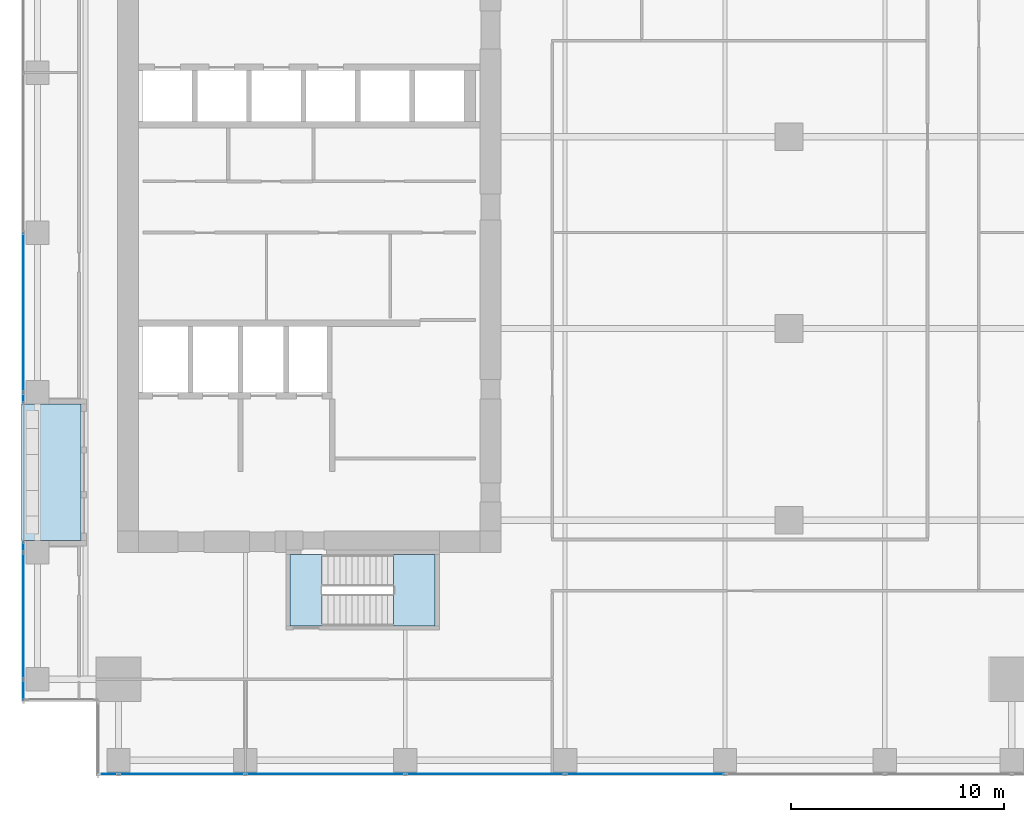
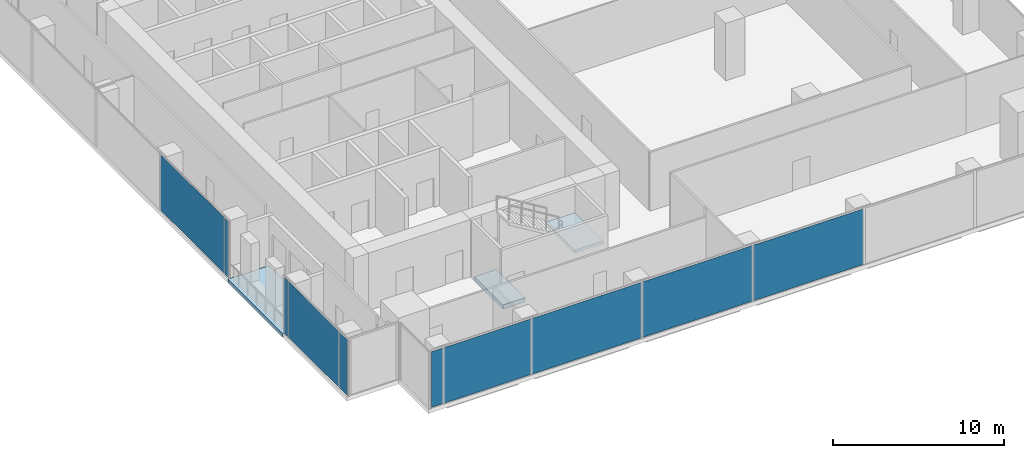
# One storey, part 22 of 33: 10 plates, 3 slabs, 4 elements without a shape of their own.
"""IFC4 building model written with IfcOpenShell, lengths in metres."""

from ifc_helpers import new_model, si_unit, direction, frame, origin, origin_2d, place, context, subcontext, project, spatial, polyline, rectangle, outline, extrude, source, transform, mapped, material, layer, layer_set, type_object, element, aggregate, save


model = new_model("IFC4")

# Units and contexts
model_context = context("Model", 3, precision=1e-05, world=origin(), true_north=direction((0.0, 1.0)))
body_context = subcontext(model_context, "Body", "Model", "MODEL_VIEW")
ifc_project = project(units=[si_unit("LENGTHUNIT", "METRE"), si_unit("AREAUNIT", "SQUARE_METRE"), si_unit("VOLUMEUNIT", "CUBIC_METRE"), si_unit("PLANEANGLEUNIT", "RADIAN"), si_unit("MASSUNIT", "GRAM", prefix="KILO")], contexts=[model_context])

# Site, building, storey
site_placement = place(None, origin())
site = spatial("IfcSite", under=ifc_project, at=site_placement, CompositionType="ELEMENT")
building_placement = place(site_placement, origin())
building = spatial("IfcBuilding", under=site, at=building_placement, Name="Khomas Fold Tower", CompositionType="ELEMENT")
storey_placement = place(building_placement, frame((0.0, 0.0, 149.89990234375)))
storey = spatial("IfcBuildingStorey", under=building, at=storey_placement, Name="L32", CompositionType="ELEMENT", Elevation=149.89990234375)

# Curtain wall, plates
ifc_material_1 = material(Name="Aluminium framed double glazing", Category="aluminium")
curtain_wall_type = type_object("IfcCurtainWallType", Name="SK-Unitised clear-glass wall, growing floors CW1", PredefinedType="NOTDEFINED", material=ifc_material_1)
curtain_wall_1_placement = place(storey_placement, origin())
curtain_wall_1 = element("IfcCurtainWall", 1, at=curtain_wall_1_placement, inside=storey, type_object=curtain_wall_type, Name="CW1 run L32 00-0", PredefinedType="NOTDEFINED")
ifc_material_2 = material(Name="Clear double glazed unit")
ifc_layer_1 = layer(ifc_material_2, 0.031982421875)
ifc_layer_set_1 = layer_set([ifc_layer_1], Name="Clear double glazed unit")
plate_type = type_object("IfcPlateType", Name="SK-Unitised clear-glass wall, growing floors glass panel CW1-P", PredefinedType="CURTAIN_PANEL", material=ifc_layer_set_1)
shared_shape_1 = source(origin(), body_context, "Body", "SweptSolid", [
    extrude(rectangle(XDim=0.760009765625, YDim=0.031982421875, at=origin_2d()), origin(), (0.0, 0.0, 1.0), 3.97998046875),
])
plate_1_placement = place(storey_placement, frame((5.639892578125, 1.60009765625, 0.0), z_axis=(0.0, 0.0, 1.0), x_axis=(1.0, 0.0, 0.0)))
plate_1 = element("IfcPlate", 2, at=plate_1_placement, type_object=plate_type, Name="CW1 glass panel 1", PredefinedType="CURTAIN_PANEL", context=body_context, shape_type="MappedRepresentation", body=[
    mapped(shared_shape_1, transform((0.0, 0.0, 0.0))),
])
shared_shape_2 = source(origin(), body_context, "Body", "SweptSolid", [
    extrude(rectangle(XDim=5.889892578125, YDim=0.031982421875, at=origin_2d()), origin(), (0.0, 0.0, 1.0), 3.97998046875),
])
plate_2_placement = place(storey_placement, frame((9.02490234375, 1.60009765625, 0.0), z_axis=(0.0, 0.0, 1.0), x_axis=(1.0, 0.0, 0.0)))
plate_2 = element("IfcPlate", 3, at=plate_2_placement, type_object=plate_type, Name="CW1 glass panel 2", PredefinedType="CURTAIN_PANEL", context=body_context, shape_type="MappedRepresentation", body=[
    mapped(shared_shape_2, transform((0.0, 0.0, 0.0))),
])

# Curtain wall, plate
curtain_wall_2_placement = place(storey_placement, origin())
curtain_wall_2 = element("IfcCurtainWall", 4, at=curtain_wall_2_placement, inside=storey, type_object=curtain_wall_type, Name="CW1 run L32 09-1", PredefinedType="NOTDEFINED")
plate_3_placement = place(storey_placement, frame((1.60009765625, 9.02490234375, 0.0), z_axis=(0.0, 0.0, 1.0), x_axis=(0.0, -1.0, 0.0)))
plate_3 = element("IfcPlate", 5, at=plate_3_placement, type_object=plate_type, Name="CW1 glass panel 2", PredefinedType="CURTAIN_PANEL", context=body_context, shape_type="MappedRepresentation", body=[
    mapped(shared_shape_2, transform((0.0, 0.0, 0.0))),
])

# Plate
shared_shape_3 = source(origin(), body_context, "Body", "SweptSolid", [
    extrude(rectangle(XDim=7.43994140625, YDim=0.031982421875, at=origin_2d()), origin(), (0.0, 0.0, 1.0), 3.97998046875),
])
plate_4_placement = place(storey_placement, frame((15.75, 1.60009765625, 0.0), z_axis=(0.0, 0.0, 1.0), x_axis=(1.0, 0.0, 0.0)))
plate_4 = element("IfcPlate", 6, at=plate_4_placement, type_object=plate_type, Name="CW1 glass panel 3", PredefinedType="CURTAIN_PANEL", context=body_context, shape_type="MappedRepresentation", body=[
    mapped(shared_shape_3, transform((0.0, 0.0, 0.0))),
])

plate_5_placement = place(storey_placement, frame((23.25, 1.60009765625, 0.0), z_axis=(0.0, 0.0, 1.0), x_axis=(1.0, 0.0, 0.0)))
plate_5 = element("IfcPlate", 7, at=plate_5_placement, type_object=plate_type, Name="CW1 glass panel 4", PredefinedType="CURTAIN_PANEL", context=body_context, shape_type="MappedRepresentation", body=[
    mapped(shared_shape_3, transform((0.0, 0.0, 0.0))),
])

plate_6_placement = place(storey_placement, frame((30.75, 1.60009765625, 0.0), z_axis=(0.0, 0.0, 1.0), x_axis=(1.0, 0.0, 0.0)))
plate_6 = element("IfcPlate", 8, at=plate_6_placement, type_object=plate_type, Name="CW1 glass panel 5", PredefinedType="CURTAIN_PANEL", context=body_context, shape_type="MappedRepresentation", body=[
    mapped(shared_shape_3, transform((0.0, 0.0, 0.0))),
])

aggregate(curtain_wall_1, [plate_1, plate_2, plate_4, plate_5, plate_6])

# Curtain wall, plate
curtain_wall_3_placement = place(storey_placement, origin())
curtain_wall_3 = element("IfcCurtainWall", 9, at=curtain_wall_3_placement, inside=storey, type_object=curtain_wall_type, Name="CW1 run L32 09-0", PredefinedType="NOTDEFINED")
plate_7_placement = place(storey_placement, frame((1.60009765625, 23.25, 0.0), z_axis=(0.0, 0.0, 1.0), x_axis=(0.0, -1.0, 0.0)))
plate_7 = element("IfcPlate", 10, at=plate_7_placement, type_object=plate_type, Name="CW1 glass panel 5", PredefinedType="CURTAIN_PANEL", context=body_context, shape_type="MappedRepresentation", body=[
    mapped(shared_shape_3, transform((0.0, 0.0, 0.0))),
])

# Plate
shared_shape_4 = source(origin(), body_context, "Body", "SweptSolid", [
    extrude(rectangle(XDim=0.9599609375, YDim=0.031982421875, at=origin_2d()), origin(), (0.0, 0.0, 1.0), 3.97998046875),
])
plate_8_placement = place(storey_placement, frame((1.60009765625, 5.5400390625, 0.0), z_axis=(0.0, 0.0, 1.0), x_axis=(0.0, -1.0, 0.0)))
plate_8 = element("IfcPlate", 11, at=plate_8_placement, type_object=plate_type, Name="CW1 glass panel 3", PredefinedType="CURTAIN_PANEL", context=body_context, shape_type="MappedRepresentation", body=[
    mapped(shared_shape_4, transform((0.0, 0.0, 0.0))),
])

shared_shape_5 = source(origin(), body_context, "Body", "SweptSolid", [
    extrude(rectangle(XDim=0.4599609375, YDim=0.031982421875, at=origin_2d()), origin(), (0.0, 0.0, 1.0), 3.97998046875),
])
plate_9_placement = place(storey_placement, frame((1.60009765625, 19.239990234375, 0.0), z_axis=(0.0, 0.0, 1.0), x_axis=(0.0, -1.0, 0.0)))
plate_9 = element("IfcPlate", 12, at=plate_9_placement, type_object=plate_type, Name="CW1 glass panel 6", PredefinedType="CURTAIN_PANEL", context=body_context, shape_type="MappedRepresentation", body=[
    mapped(shared_shape_5, transform((0.0, 0.0, 0.0))),
])

aggregate(curtain_wall_3, [plate_7, plate_9])

plate_10_placement = place(storey_placement, frame((1.60009765625, 12.260009765625, 0.0), z_axis=(0.0, 0.0, 1.0), x_axis=(0.0, -1.0, 0.0)))
plate_10 = element("IfcPlate", 13, at=plate_10_placement, type_object=plate_type, Name="CW1 glass panel 1", PredefinedType="CURTAIN_PANEL", context=body_context, shape_type="MappedRepresentation", body=[
    mapped(shared_shape_5, transform((0.0, 0.0, 0.0))),
])

aggregate(curtain_wall_2, [plate_10, plate_3, plate_8])

# Slab
ifc_material_3 = material(Name="Concrete C40/50", Category="concrete")
ifc_layer_2 = layer(ifc_material_3, 0.2548828125)
ifc_layer_set_2 = layer_set([ifc_layer_2], Name="Concrete C40/50")
slab_type_1 = type_object("IfcSlabType", Name="BL-Balcony deck 255", PredefinedType="FLOOR", material=ifc_layer_set_2)
shared_shape_6 = source(origin(), body_context, "Body", "SweptSolid", [
    extrude(outline(polyline([(1.5, 12.550048828125), (4.300048828125, 12.550048828125), (4.300048828125, 18.949951171875), (1.5, 18.949951171875), (1.5, 12.550048828125)])), origin(), (0.0, 0.0, 1.0), 0.2548828125),
])
slab_1_placement = place(storey_placement, frame((0.0, 0.0, -0.2998046875)))
element("IfcSlab", 14, at=slab_1_placement, inside=storey, type_object=slab_type_1, Name="Balcony deck BAL-L32-W1", PredefinedType="FLOOR", context=body_context, shape_type="MappedRepresentation", body=[
    mapped(shared_shape_6, transform((0.0, 0.0, 0.0))),
])

# Stair, slab
ifc_material_4 = material(Name="Concrete C40/50", Category="concrete")
stair_type = type_object("IfcStairType", Name="Stair ST2", PredefinedType="HALF_TURN_STAIR", material=ifc_material_4)
stair_placement = place(storey_placement, origin())
stair = element("IfcStair", 15, at=stair_placement, inside=storey, type_object=stair_type, Name="L32 ST2", PredefinedType="HALF_TURN_STAIR")
ifc_material_5 = material(Name="Concrete C40/50", Category="concrete")
ifc_layer_3 = layer(ifc_material_5, 0.199951171875)
ifc_layer_set_3 = layer_set([ifc_layer_3], Name="Concrete C40/50")
slab_type_2 = type_object("IfcSlabType", Name="Stair landing 200", PredefinedType="LANDING", material=ifc_layer_set_3)
shared_shape_7 = source(origin(), body_context, "Body", "SweptSolid", [
    extrude(outline(polyline([(18.9599609375, 8.550048828125), (20.89990234375, 8.550048828125), (20.89990234375, 11.89990234375), (18.9599609375, 11.89990234375), (18.9599609375, 8.550048828125)])), origin(), (0.0, 0.0, 1.0), 0.2001953125),
])
slab_2_placement = place(storey_placement, frame((0.0, 0.0, 2.0)))
slab_2 = element("IfcSlab", 16, at=slab_2_placement, type_object=slab_type_2, Name="ST2 landing 1", PredefinedType="LANDING", context=body_context, shape_type="MappedRepresentation", body=[
    mapped(shared_shape_7, transform((0.0, 0.0, 0.0))),
])
aggregate(stair, [slab_2])

# Slab
ifc_material_6 = material(Name="Concrete C40/50", Category="concrete")
ifc_layer_4 = layer(ifc_material_6, 0.300048828125)
ifc_layer_set_4 = layer_set([ifc_layer_4], Name="Concrete C40/50")
slab_type_3 = type_object("IfcSlabType", Name="Stair floor landing 300", PredefinedType="LANDING", material=ifc_layer_set_4)
shared_shape_8 = source(origin(), body_context, "Body", "SweptSolid", [
    extrude(outline(polyline([(15.60009765625, 8.550048828125), (14.10009765625, 8.550048828125), (14.10009765625, 11.89990234375), (15.60009765625, 11.89990234375), (15.60009765625, 8.550048828125)])), origin(), (0.0, 0.0, 1.0), 0.2998046875),
])
slab_3_placement = place(storey_placement, frame((0.0, 0.0, -0.2998046875)))
element("IfcSlab", 17, at=slab_3_placement, inside=storey, type_object=slab_type_3, Name="ST2 floor landing", PredefinedType="LANDING", context=body_context, shape_type="MappedRepresentation", body=[
    mapped(shared_shape_8, transform((0.0, 0.0, 0.0))),
])

save(model, "model.ifc")
